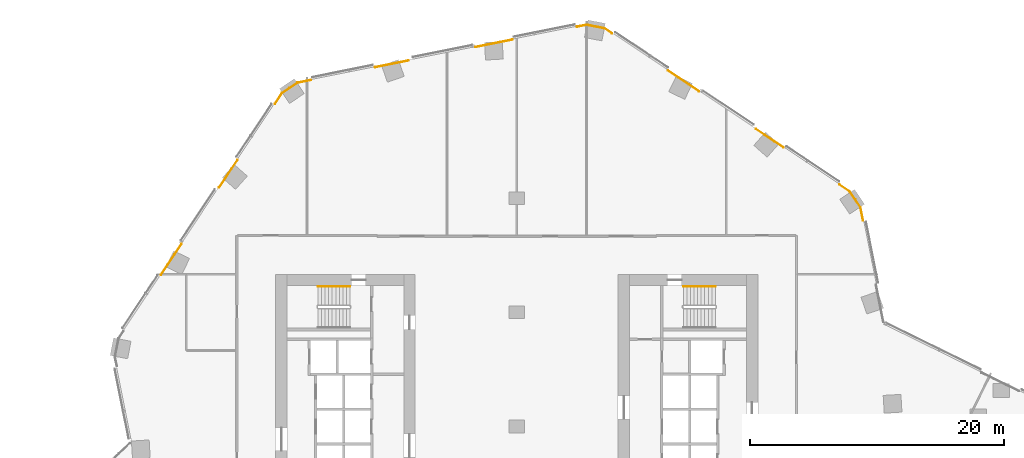
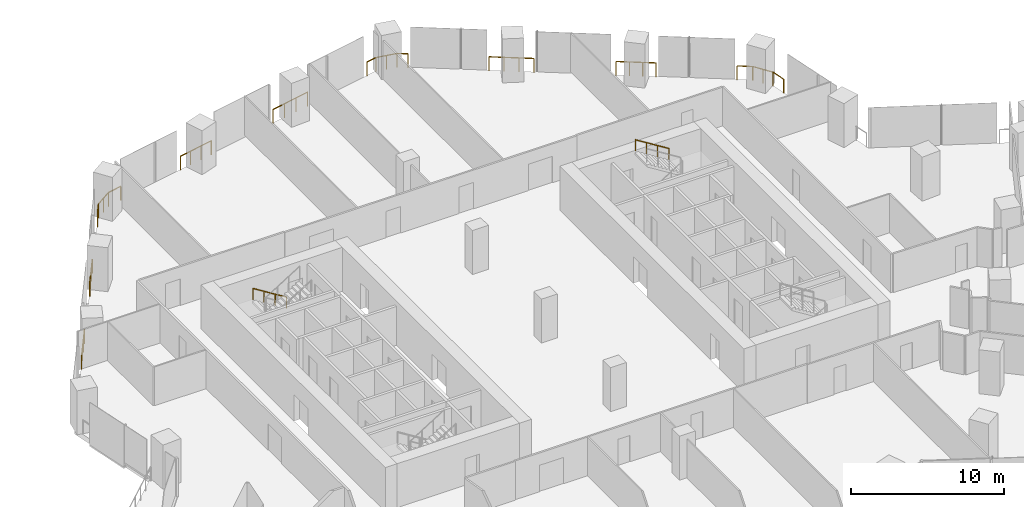
# One storey, part 32 of 32: 11 railings.
"""IFC4 building model written with IfcOpenShell, lengths in metres."""

from ifc_helpers import new_model, si_unit, direction, frame, origin, origin_2d, place, context, subcontext, project, spatial, circle, extrude, material, type_object, element, save


model = new_model("IFC4")

# Units and contexts
model_context = context("Model", 3, precision=1e-05, world=origin(), true_north=direction((0.0, 1.0)))
body_context = subcontext(model_context, "Body", "Model", "MODEL_VIEW")
ifc_project = project(units=[si_unit("LENGTHUNIT", "METRE"), si_unit("AREAUNIT", "SQUARE_METRE"), si_unit("VOLUMEUNIT", "CUBIC_METRE"), si_unit("PLANEANGLEUNIT", "RADIAN"), si_unit("MASSUNIT", "GRAM", prefix="KILO")], contexts=[model_context])

# Site, building, storey
site_placement = place(None, origin())
site = spatial("IfcSite", under=ifc_project, at=site_placement, CompositionType="ELEMENT")
building_placement = place(site_placement, origin())
building = spatial("IfcBuilding", under=site, at=building_placement, Name="Orlundy Tower", CompositionType="ELEMENT")
storey_placement = place(building_placement, frame((0.0, 0.0, 58.800048828125)))
storey = spatial("IfcBuildingStorey", under=building, at=storey_placement, Name="L13", CompositionType="ELEMENT", Elevation=58.800048828125)

# Railings
ifc_material_1 = material(Name="Steel handrail", Category="steel")
railing_type_1 = type_object("IfcRailingType", Name="Stair Handrail 900", PredefinedType="HANDRAIL", material=ifc_material_1)
for number, where, name in (
    (1, (-13.139892578125, 11.050048828125, 0.175048828125), "L13 ST-W1 stair handrail 1"),
    (2, (15.659912109375, 11.050048828125, 1.925048828125), "L13 ST-E2 stair handrail 2"),
):
    element("IfcRailing", number, at=place(storey_placement, frame(where)), inside=storey, type_object=railing_type_1, Name=name, PredefinedType="HANDRAIL", context=body_context, shape_type="SweptSolid", body=[
        extrude(circle(Radius=0.02392578125, at=origin_2d()), frame((0.0, 0.0, 0.8759765625), z_axis=(-0.848007534815, 0.0, 0.529984170421), x_axis=(0.0, -1.0, 0.0)), (0.0, 0.0, 1.0), 2.9716796875),
        extrude(circle(Radius=0.02099609375, at=origin_2d()), origin(), (0.0, 0.0, 1.0), 0.851806640625),
        extrude(circle(Radius=0.02099609375, at=origin_2d()), frame((-0.840087890625, 0.0, 0.52490234375)), (0.0, 0.0, 1.0), 0.851806640625),
        extrude(circle(Radius=0.02099609375, at=origin_2d()), frame((-1.679931640625, 0.0, 1.050048828125)), (0.0, 0.0, 1.0), 0.851806640625),
        extrude(circle(Radius=0.02099609375, at=origin_2d()), frame((-2.52001953125, 0.0, 1.574951171875)), (0.0, 0.0, 1.0), 0.851806640625),
    ])
ifc_material_2 = material(Name="Stainless steel bronze finish", Category="steel")
railing_type_2 = type_object("IfcRailingType", Name="TG1 terrace guard", PredefinedType="GUARDRAIL", material=ifc_material_2)
railing_1_placement = place(storey_placement, frame((25.42822265625, 19.060791015625, 0.0)))
element("IfcRailing", 3, at=railing_1_placement, inside=storey, type_object=railing_type_2, Name="Guard TG-L13-E01", PredefinedType="GUARDRAIL", context=body_context, shape_type="SweptSolid", body=[
    extrude(circle(Radius=0.02490234375, at=origin_2d()), frame((0.0, 0.0, 1.09521484375), z_axis=(0.832380478361, -0.554204600525, 0.0), x_axis=(0.554204600525, 0.832380478361, 0.0)), (0.0, 0.0, 1.0), 1.0234375),
    extrude(circle(Radius=0.02490234375, at=origin_2d()), frame((0.851806640625, -0.567138671875, 1.09521484375), z_axis=(0.556358482341, -0.830942380148, 0.0), x_axis=(0.830942380148, 0.556358482341, 0.0)), (0.0, 0.0, 1.0), 1.4599609375),
    extrude(circle(Radius=0.02490234375, at=origin_2d()), frame((1.6640625, -1.7802734375, 1.09521484375), z_axis=(0.19672912382, -0.980457878667, 0.0), x_axis=(0.980457878667, 0.19672912382, 0.0)), (0.0, 0.0, 1.0), 1.072265625),
    extrude(circle(Radius=0.02001953125, at=origin_2d()), origin(), (0.0, 0.0, 1.0), 1.070068359375),
    extrude(circle(Radius=0.02001953125, at=origin_2d()), frame((0.851806640625, -0.567138671875, 0.0)), (0.0, 0.0, 1.0), 1.070068359375),
    extrude(circle(Radius=0.02001953125, at=origin_2d()), frame((1.2578125, -1.173828125, 0.0)), (0.0, 0.0, 1.0), 1.070068359375),
    extrude(circle(Radius=0.02001953125, at=origin_2d()), frame((1.6640625, -1.7802734375, 0.0)), (0.0, 0.0, 1.0), 1.070068359375),
    extrude(circle(Radius=0.02001953125, at=origin_2d()), frame((1.875, -2.83154296875, 0.0)), (0.0, 0.0, 1.0), 1.070068359375),
])
railing_2_placement = place(storey_placement, frame((-19.060791015625, 25.42822265625, 0.0)))
element("IfcRailing", 4, at=railing_2_placement, inside=storey, type_object=railing_type_2, Name="Guard TG-L13-E02", PredefinedType="GUARDRAIL", context=body_context, shape_type="SweptSolid", body=[
    extrude(circle(Radius=0.02490234375, at=origin_2d()), frame((0.0, 0.0, 1.09521484375), z_axis=(0.554204600525, 0.832380478361, 0.0), x_axis=(-0.832380478361, 0.554204600525, 0.0)), (0.0, 0.0, 1.0), 1.0234375),
    extrude(circle(Radius=0.02490234375, at=origin_2d()), frame((0.567138671875, 0.851806640625, 1.09521484375), z_axis=(0.830942380148, 0.556358482341, 0.0), x_axis=(-0.556358482341, 0.830942380148, 0.0)), (0.0, 0.0, 1.0), 1.4599609375),
    extrude(circle(Radius=0.02490234375, at=origin_2d()), frame((1.7802734375, 1.6640625, 1.09521484375), z_axis=(0.980501775206, 0.196510225732, 0.0), x_axis=(-0.196510225732, 0.980501775206, 0.0)), (0.0, 0.0, 1.0), 1.072265625),
    extrude(circle(Radius=0.02001953125, at=origin_2d()), origin(), (0.0, 0.0, 1.0), 1.070068359375),
    extrude(circle(Radius=0.02001953125, at=origin_2d()), frame((0.567138671875, 0.851806640625, 0.0)), (0.0, 0.0, 1.0), 1.070068359375),
    extrude(circle(Radius=0.02001953125, at=origin_2d()), frame((1.173828125, 1.2578125, 0.0)), (0.0, 0.0, 1.0), 1.070068359375),
    extrude(circle(Radius=0.02001953125, at=origin_2d()), frame((1.7802734375, 1.6640625, 0.0)), (0.0, 0.0, 1.0), 1.070068359375),
    extrude(circle(Radius=0.02001953125, at=origin_2d()), frame((2.83154296875, 1.874755859375, 0.0)), (0.0, 0.0, 1.0), 1.070068359375),
])
railing_3_placement = place(storey_placement, frame((-3.254638671875, 29.903564453125, 0.0)))
element("IfcRailing", 5, at=railing_3_placement, inside=storey, type_object=railing_type_2, Name="Guard TG-L13-E09", PredefinedType="GUARDRAIL", context=body_context, shape_type="SweptSolid", body=[
    extrude(circle(Radius=0.02490234375, at=origin_2d()), frame((0.0, 0.0, 1.09521484375), z_axis=(0.980508370242, 0.196477316466, 0.0), x_axis=(-0.196477316466, 0.980508370242, 0.0)), (0.0, 0.0, 1.0), 2.98974609375),
    extrude(circle(Radius=0.02001953125, at=origin_2d()), origin(), (0.0, 0.0, 1.0), 1.070068359375),
    extrude(circle(Radius=0.02001953125, at=origin_2d()), frame((0.97705078125, 0.19580078125, 0.0)), (0.0, 0.0, 1.0), 1.070068359375),
    extrude(circle(Radius=0.02001953125, at=origin_2d()), frame((1.954345703125, 0.3916015625, 0.0)), (0.0, 0.0, 1.0), 1.070068359375),
    extrude(circle(Radius=0.02001953125, at=origin_2d()), frame((2.931396484375, 0.58740234375, 0.0)), (0.0, 0.0, 1.0), 1.070068359375),
])
railing_4_placement = place(storey_placement, frame((-28.046875, 11.93701171875, 0.0)))
element("IfcRailing", 6, at=railing_4_placement, inside=storey, type_object=railing_type_2, Name="Guard TG-L13-E012", PredefinedType="GUARDRAIL", context=body_context, shape_type="SweptSolid", body=[
    extrude(circle(Radius=0.02490234375, at=origin_2d()), frame((0.0, 0.0, 1.09521484375), z_axis=(0.554315302611, 0.832306761532, 0.0), x_axis=(-0.832306761532, 0.554315302611, 0.0)), (0.0, 0.0, 1.0), 2.927978515625),
    extrude(circle(Radius=0.02001953125, at=origin_2d()), origin(), (0.0, 0.0, 1.0), 1.070068359375),
    extrude(circle(Radius=0.02001953125, at=origin_2d()), frame((0.541015625, 0.812255859375, 0.0)), (0.0, 0.0, 1.0), 1.070068359375),
    extrude(circle(Radius=0.02001953125, at=origin_2d()), frame((1.08203125, 1.624755859375, 0.0)), (0.0, 0.0, 1.0), 1.070068359375),
    extrude(circle(Radius=0.02001953125, at=origin_2d()), frame((1.623046875, 2.43701171875, 0.0)), (0.0, 0.0, 1.0), 1.070068359375),
])
railing_5_placement = place(storey_placement, frame((11.93701171875, 28.046875, 0.0)))
element("IfcRailing", 7, at=railing_5_placement, inside=storey, type_object=railing_type_2, Name="Guard TG-L13-E013", PredefinedType="GUARDRAIL", context=body_context, shape_type="SweptSolid", body=[
    extrude(circle(Radius=0.02490234375, at=origin_2d()), frame((0.0, 0.0, 1.09521484375), z_axis=(0.832306761532, -0.554315302611, 0.0), x_axis=(0.554315302611, 0.832306761532, 0.0)), (0.0, 0.0, 1.0), 2.927978515625),
    extrude(circle(Radius=0.02001953125, at=origin_2d()), origin(), (0.0, 0.0, 1.0), 1.070068359375),
    extrude(circle(Radius=0.02001953125, at=origin_2d()), frame((0.812255859375, -0.541015625, 0.0)), (0.0, 0.0, 1.0), 1.070068359375),
    extrude(circle(Radius=0.02001953125, at=origin_2d()), frame((1.624755859375, -1.08203125, 0.0)), (0.0, 0.0, 1.0), 1.070068359375),
    extrude(circle(Radius=0.02001953125, at=origin_2d()), frame((2.43701171875, -1.623046875, 0.0)), (0.0, 0.0, 1.0), 1.070068359375),
])
railing_6_placement = place(storey_placement, frame((4.75439453125, 31.5087890625, 0.0)))
element("IfcRailing", 8, at=railing_6_placement, inside=storey, type_object=railing_type_2, Name="Guard TG-L13-E014", PredefinedType="GUARDRAIL", context=body_context, shape_type="SweptSolid", body=[
    extrude(circle(Radius=0.02490234375, at=origin_2d()), frame((0.0, 0.0, 1.09521484375), z_axis=(0.98054388898, 0.196299979074, 0.0), x_axis=(-0.196299979074, 0.98054388898, 0.0)), (0.0, 0.0, 1.0), 0.76611328125),
    extrude(circle(Radius=0.02490234375, at=origin_2d()), frame((0.751220703125, 0.150390625, 1.09521484375), z_axis=(0.981104529431, -0.193478428592, 0.0), x_axis=(0.193478428592, 0.981104529431, 0.0)), (0.0, 0.0, 1.0), 1.4599609375),
    extrude(circle(Radius=0.02490234375, at=origin_2d()), frame((2.18359375, -0.132080078125, 1.09521484375), z_axis=(0.83226479554, -0.554378309555, 0.0), x_axis=(0.554378309555, 0.83226479554, 0.0)), (0.0, 0.0, 1.0), 0.7001953125),
    extrude(circle(Radius=0.02001953125, at=origin_2d()), origin(), (0.0, 0.0, 1.0), 1.070068359375),
    extrude(circle(Radius=0.02001953125, at=origin_2d()), frame((0.751220703125, 0.150390625, 0.0)), (0.0, 0.0, 1.0), 1.070068359375),
    extrude(circle(Radius=0.02001953125, at=origin_2d()), frame((1.46728515625, 0.00927734375, 0.0)), (0.0, 0.0, 1.0), 1.070068359375),
    extrude(circle(Radius=0.02001953125, at=origin_2d()), frame((2.18359375, -0.132080078125, 0.0)), (0.0, 0.0, 1.0), 1.070068359375),
    extrude(circle(Radius=0.02001953125, at=origin_2d()), frame((2.766357421875, -0.520263671875, 0.0)), (0.0, 0.0, 1.0), 1.070068359375),
])
railing_7_placement = place(storey_placement, frame((-11.15185546875, 28.32080078125, 0.0)))
element("IfcRailing", 9, at=railing_7_placement, inside=storey, type_object=railing_type_2, Name="Guard TG-L13-E017", PredefinedType="GUARDRAIL", context=body_context, shape_type="SweptSolid", body=[
    extrude(circle(Radius=0.02490234375, at=origin_2d()), frame((0.0, 0.0, 1.09521484375), z_axis=(0.980503623267, 0.196501004477, 0.0), x_axis=(-0.196501004477, 0.980503623267, 0.0)), (0.0, 0.0, 1.0), 2.68359375),
    extrude(circle(Radius=0.02001953125, at=origin_2d()), origin(), (0.0, 0.0, 1.0), 1.070068359375),
    extrude(circle(Radius=0.02001953125, at=origin_2d()), frame((0.877197265625, 0.17578125, 0.0)), (0.0, 0.0, 1.0), 1.070068359375),
    extrude(circle(Radius=0.02001953125, at=origin_2d()), frame((1.754150390625, 0.3515625, 0.0)), (0.0, 0.0, 1.0), 1.070068359375),
    extrude(circle(Radius=0.02001953125, at=origin_2d()), frame((2.63134765625, 0.52734375, 0.0)), (0.0, 0.0, 1.0), 1.070068359375),
])
railing_8_placement = place(storey_placement, frame((-23.446533203125, 18.84375, 0.0)))
element("IfcRailing", 10, at=railing_8_placement, inside=storey, type_object=railing_type_2, Name="Guard TG-L13-E018", PredefinedType="GUARDRAIL", context=body_context, shape_type="SweptSolid", body=[
    extrude(circle(Radius=0.02490234375, at=origin_2d()), frame((0.0, 0.0, 1.09521484375), z_axis=(0.55433384732, 0.832294410479, 0.0), x_axis=(-0.832294410479, 0.55433384732, 0.0)), (0.0, 0.0, 1.0), 2.61474609375),
    extrude(circle(Radius=0.02001953125, at=origin_2d()), origin(), (0.0, 0.0, 1.0), 1.070068359375),
    extrude(circle(Radius=0.02001953125, at=origin_2d()), frame((0.483154296875, 0.725341796875, 0.0)), (0.0, 0.0, 1.0), 1.070068359375),
    extrude(circle(Radius=0.02001953125, at=origin_2d()), frame((0.96630859375, 1.450927734375, 0.0)), (0.0, 0.0, 1.0), 1.070068359375),
    extrude(circle(Radius=0.02001953125, at=origin_2d()), frame((1.449462890625, 2.17626953125, 0.0)), (0.0, 0.0, 1.0), 1.070068359375),
])
railing_9_placement = place(storey_placement, frame((18.84375, 23.446533203125, 0.0)))
element("IfcRailing", 11, at=railing_9_placement, inside=storey, type_object=railing_type_2, Name="Guard TG-L13-E019", PredefinedType="GUARDRAIL", context=body_context, shape_type="SweptSolid", body=[
    extrude(circle(Radius=0.02490234375, at=origin_2d()), frame((0.0, 0.0, 1.09521484375), z_axis=(0.832294410479, -0.55433384732, 0.0), x_axis=(0.55433384732, 0.832294410479, 0.0)), (0.0, 0.0, 1.0), 2.61474609375),
    extrude(circle(Radius=0.02001953125, at=origin_2d()), origin(), (0.0, 0.0, 1.0), 1.070068359375),
    extrude(circle(Radius=0.02001953125, at=origin_2d()), frame((0.725341796875, -0.483154296875, 0.0)), (0.0, 0.0, 1.0), 1.070068359375),
    extrude(circle(Radius=0.02001953125, at=origin_2d()), frame((1.450927734375, -0.96630859375, 0.0)), (0.0, 0.0, 1.0), 1.070068359375),
    extrude(circle(Radius=0.02001953125, at=origin_2d()), frame((2.17626953125, -1.449462890625, 0.0)), (0.0, 0.0, 1.0), 1.070068359375),
])

save(model, "model.ifc")
